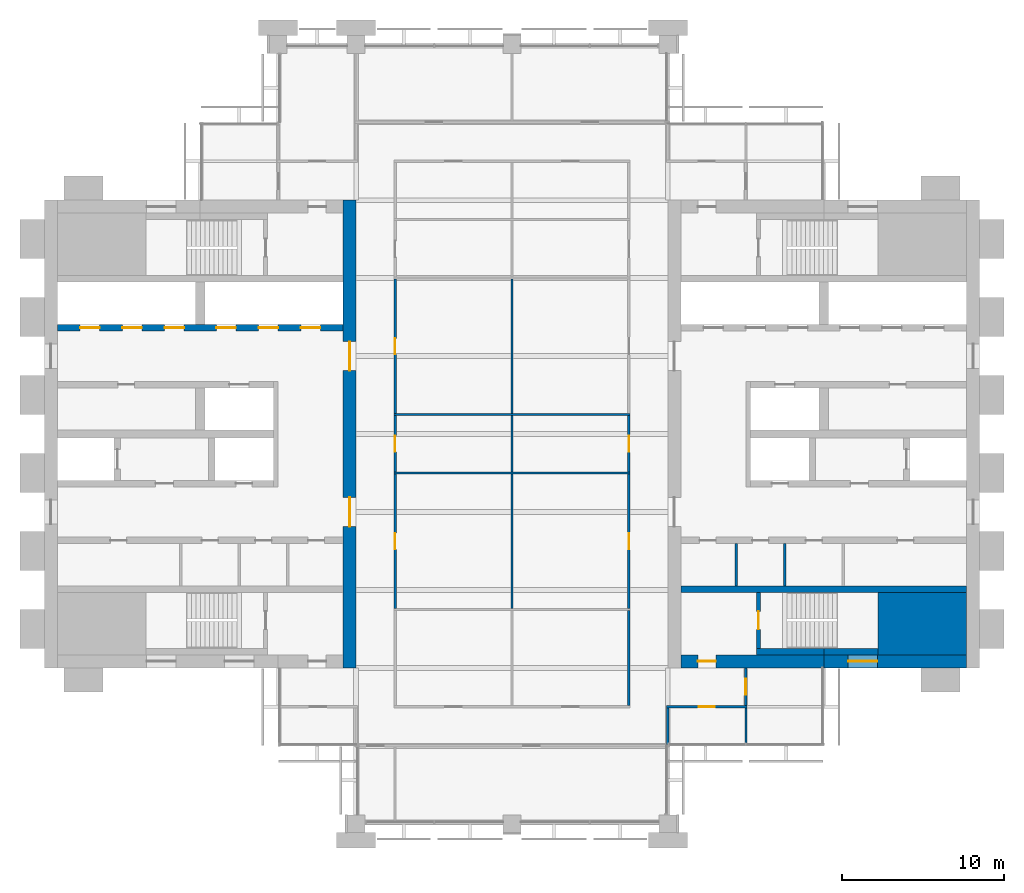
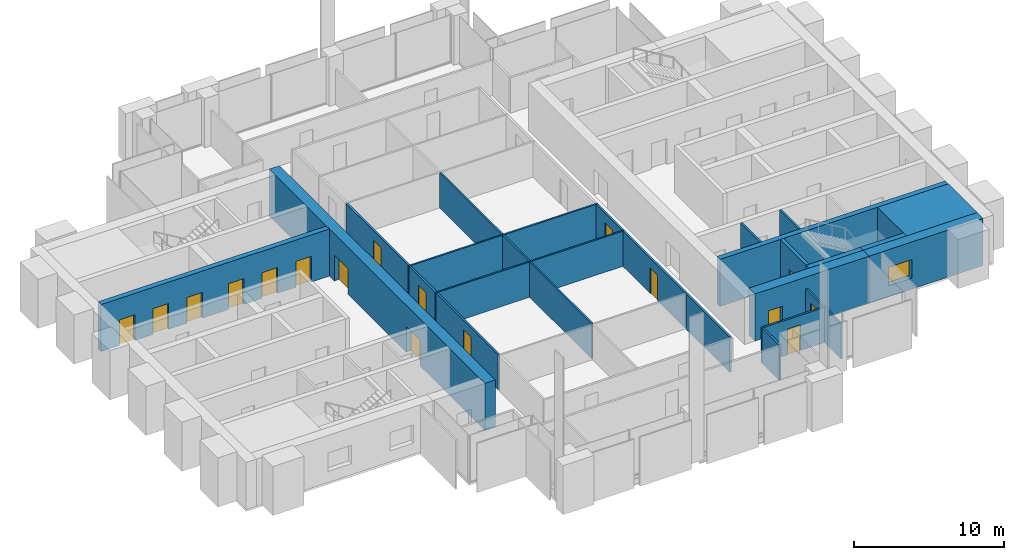
# One storey, part 9 of 13: 26 walls, 17 doors, 1 window, 18 openings.
"""IFC4 building model written with IfcOpenShell, lengths in metres."""

from ifc_helpers import new_model, si_unit, direction, frame, frame_2d, origin, place, context, subcontext, project, spatial, rectangle, extrude, material, layer, layer_set, type_object, element, fill, save


model = new_model("IFC4")

# Units and contexts
model_context = context("Model", 3, precision=1e-05, world=origin(), true_north=direction((0.0, 1.0)))
body_context = subcontext(model_context, "Body", "Model", "MODEL_VIEW")
ifc_project = project(units=[si_unit("LENGTHUNIT", "METRE"), si_unit("AREAUNIT", "SQUARE_METRE"), si_unit("VOLUMEUNIT", "CUBIC_METRE"), si_unit("PLANEANGLEUNIT", "RADIAN"), si_unit("MASSUNIT", "GRAM", prefix="KILO")], contexts=[model_context])

# Site, building, storey
site_placement = place(None, origin())
site = spatial("IfcSite", under=ifc_project, at=site_placement, CompositionType="ELEMENT")
building_placement = place(site_placement, origin())
building = spatial("IfcBuilding", under=site, at=building_placement, Name="Baori Bourse Tower", CompositionType="ELEMENT")
storey_placement = place(building_placement, frame((0.0, 0.0, 225.199951171875)))
storey = spatial("IfcBuildingStorey", under=building, at=storey_placement, Name="L49", CompositionType="ELEMENT", Elevation=225.199951171875)

# Walls
ifc_material_1 = material(Name="Concrete f'c 50 MPa", Category="concrete")
wall_type_1 = type_object("IfcWallType", Name="Core corner block f'c 50", PredefinedType="SHEAR", material=ifc_material_1)
wall_1_placement = place(storey_placement, frame((51.35009765625, 12.324951171875, 0.0), z_axis=(0.0, 0.0, 1.0), x_axis=(1.0, 0.0, 0.0)))
element("IfcWall", 1, at=wall_1_placement, inside=storey, type_object=wall_type_1, Name="Core wall E05", PredefinedType="SHEAR", context=body_context, shape_type="SweptSolid", body=[
    extrude(rectangle(XDim=5.449951171875, YDim=3.85009765625, at=frame_2d((2.72509765625, 0.0))), origin(), (0.0, 0.0, 1.0), 3.840087890625),
])
ifc_material_2 = material(Name="Blockwork partition", Category="masonry")
ifc_layer_1 = layer(ifc_material_2, 0.14990234375)
ifc_layer_set_1 = layer_set([ifc_layer_1], Name="Core partition 150")
wall_type_2 = type_object("IfcWallType", Name="Core partition 150", PredefinedType="PARTITIONING", material=ifc_layer_set_1)
for number, where, z_axis, x_axis, name in (
    (2, (45.60009765625, 14.64990234375, 0.0), (0.0, 0.0, 1.0), (0.0, 1.0, 0.0), "Partition wall E11"),
    (3, (42.60009765625, 14.64990234375, 0.0), (0.0, 0.0, 1.0), (0.0, 1.0, 0.0), "Partition wall E12"),
):
    element("IfcWall", number, at=place(storey_placement, frame(where, z_axis=z_axis, x_axis=x_axis)), inside=storey, type_object=wall_type_2, Name=name, PredefinedType="PARTITIONING", context=body_context, shape_type="SweptSolid", body=[
        extrude(rectangle(XDim=2.60009765625, YDim=0.14990234375, at=frame_2d((1.300048828125, 0.0))), origin(), (0.0, 0.0, 1.0), 3.840087890625),
    ])

# Wall, openings, doors
ifc_material_3 = material(Name="Concrete f'c 50 MPa", Category="concrete")
ifc_layer_2 = layer(ifc_material_3, 0.800048828125)
ifc_layer_set_2 = layer_set([ifc_layer_2], Name="Core wall 800 f'c 50")
wall_type_3 = type_object("IfcWallType", Name="Core wall 800 f'c 50", PredefinedType="SHEAR", material=ifc_layer_set_2)
wall_2_placement = place(storey_placement, frame((18.800048828125, 38.39990234375, 0.0), z_axis=(0.0, 0.0, 1.0), x_axis=(0.0, -1.0, 0.0)))
wall_2 = element("IfcWall", 4, at=wall_2_placement, inside=storey, type_object=wall_type_3, Name="Core wall W04", PredefinedType="SHEAR", context=body_context, shape_type="SweptSolid", body=[
    extrude(rectangle(XDim=28.7998046875, YDim=0.800048828125, at=frame_2d((14.39990234375, 0.0))), origin(), (0.0, 0.0, 1.0), 3.840087890625),
])
opening_1_placement = place(wall_2_placement, frame((18.300048828125, 0.0, 0.0)))
opening_1 = element("IfcOpeningElement", 5, at=opening_1_placement, cuts=wall_2, Name="Opening L49-D107", PredefinedType="OPENING", context=body_context, shape_type="SweptSolid", body=[
    extrude(rectangle(XDim=1.800048828125, YDim=2.10009765625, at=frame_2d((0.89990234375, 1.050048828125))), frame((0.0, 0.409912109375, 0.0), z_axis=(0.0, -1.0, 0.0), x_axis=(1.0, 0.0, 0.0)), (0.0, 0.0, 1.0), 0.820068359375),
])
opening_2_placement = place(wall_2_placement, frame((8.699951171875, 0.0, 0.0)))
opening_2 = element("IfcOpeningElement", 6, at=opening_2_placement, cuts=wall_2, Name="Opening L49-D108", PredefinedType="OPENING", context=body_context, shape_type="SweptSolid", body=[
    extrude(rectangle(XDim=1.800048828125, YDim=2.10009765625, at=frame_2d((0.89990234375, 1.050048828125))), frame((0.0, 0.409912109375, 0.0), z_axis=(0.0, -1.0, 0.0), x_axis=(1.0, 0.0, 0.0)), (0.0, 0.0, 1.0), 0.820068359375),
])
ifc_material_4 = material(Name="Painted steel door", Category="steel")
door_type_1 = type_object("IfcDoorType", Name="Core lobby door 1800", OperationType="DOUBLE_DOOR_SINGLE_SWING", PredefinedType="DOOR", material=ifc_material_4)
door_1_placement = place(opening_1_placement, origin())
door_1 = element("IfcDoor", 7, at=door_1_placement, inside=storey, type_object=door_type_1, Name="Lobby door W L49", OperationType="DOUBLE_DOOR_SINGLE_SWING", OverallHeight=2.10009765625, OverallWidth=1.800048828125, PredefinedType="DOOR", context=body_context, shape_type="SweptSolid", body=[
    extrude(rectangle(XDim=1.800048828125, YDim=2.10009765625, at=frame_2d((0.89990234375, 1.050048828125))), frame((0.0, 0.02490234375, 0.0), z_axis=(0.0, -1.0, 0.0), x_axis=(1.0, 0.0, 0.0)), (0.0, 0.0, 1.0), 0.050048828125),
])
fill(opening_1, door_1)
door_2_placement = place(opening_2_placement, origin())
door_2 = element("IfcDoor", 8, at=door_2_placement, inside=storey, type_object=door_type_1, Name="Lobby door W L49", OperationType="DOUBLE_DOOR_SINGLE_SWING", OverallHeight=2.10009765625, OverallWidth=1.800048828125, PredefinedType="DOOR", context=body_context, shape_type="SweptSolid", body=[
    extrude(rectangle(XDim=1.800048828125, YDim=2.10009765625, at=frame_2d((0.89990234375, 1.050048828125))), frame((0.0, 0.02490234375, 0.0), z_axis=(0.0, -1.0, 0.0), x_axis=(1.0, 0.0, 0.0)), (0.0, 0.0, 1.0), 0.050048828125),
])
fill(opening_2, door_2)

# Wall, opening, window
wall_3_placement = place(storey_placement, frame((56.800048828125, 10.0, 0.0), z_axis=(0.0, 0.0, 1.0), x_axis=(-1.0, 0.0, 0.0)))
wall_3 = element("IfcWall", 9, at=wall_3_placement, inside=storey, type_object=wall_type_3, Name="Core wall E02", PredefinedType="SHEAR", context=body_context, shape_type="SweptSolid", body=[
    extrude(rectangle(XDim=8.800048828125, YDim=0.800048828125, at=frame_2d((4.39990234375, 0.0))), origin(), (0.0, 0.0, 1.0), 3.840087890625),
])
opening_3_placement = place(wall_3_placement, frame((5.5, 0.0, 0.89990234375)))
opening_3 = element("IfcOpeningElement", 10, at=opening_3_placement, cuts=wall_3, Name="Opening L49-KW203", PredefinedType="OPENING", context=body_context, shape_type="SweptSolid", body=[
    extrude(rectangle(XDim=1.800048828125, YDim=1.5, at=frame_2d((0.89990234375, 0.75))), frame((0.0, 0.409912109375, 0.0), z_axis=(0.0, -1.0, 0.0), x_axis=(1.0, 0.0, 0.0)), (0.0, 0.0, 1.0), 0.820068359375),
])
ifc_material_5 = material(Name="Pale anodised aluminium", Category="aluminium")
window_type = type_object("IfcWindowType", Name="Stair window 1800 x 1500", PartitioningType="SINGLE_PANEL", PredefinedType="WINDOW", material=ifc_material_5)
window_placement = place(opening_3_placement, origin())
window = element("IfcWindow", 11, at=window_placement, inside=storey, type_object=window_type, Name="Stair window E L49 3", OverallHeight=1.5, OverallWidth=1.800048828125, PartitioningType="SINGLE_PANEL", PredefinedType="WINDOW", context=body_context, shape_type="SweptSolid", body=[
    extrude(rectangle(XDim=1.800048828125, YDim=1.5, at=frame_2d((0.89990234375, 0.75))), frame((0.0, 0.030029296875, 0.0), z_axis=(0.0, -1.0, 0.0), x_axis=(1.0, 0.0, 0.0)), (0.0, 0.0, 1.0), 0.06005859375),
])
fill(opening_3, window)

# Wall, opening, door
wall_4_placement = place(storey_placement, frame((48.0, 10.0, 0.0), z_axis=(0.0, 0.0, 1.0), x_axis=(-1.0, 0.0, 0.0)))
wall_4 = element("IfcWall", 12, at=wall_4_placement, inside=storey, type_object=wall_type_3, Name="Core wall E03", PredefinedType="SHEAR", context=body_context, shape_type="SweptSolid", body=[
    extrude(rectangle(XDim=8.800048828125, YDim=0.800048828125, at=frame_2d((4.39990234375, 0.0))), origin(), (0.0, 0.0, 1.0), 3.840087890625),
])
opening_4_placement = place(wall_4_placement, frame((6.64990234375, 0.0, 0.0)))
opening_4 = element("IfcOpeningElement", 13, at=opening_4_placement, cuts=wall_4, Name="Opening L49-D202", PredefinedType="OPENING", context=body_context, shape_type="SweptSolid", body=[
    extrude(rectangle(XDim=1.10009765625, YDim=2.10009765625, at=frame_2d((0.550048828125, 1.050048828125))), frame((0.0, 0.409912109375, 0.0), z_axis=(0.0, -1.0, 0.0), x_axis=(1.0, 0.0, 0.0)), (0.0, 0.0, 1.0), 0.820068359375),
])
ifc_material_6 = material(Name="Painted steel door", Category="steel")
door_type_2 = type_object("IfcDoorType", Name="Stair door 1100", OperationType="SINGLE_SWING_LEFT", PredefinedType="DOOR", material=ifc_material_6)
door_3_placement = place(opening_4_placement, origin())
door_3 = element("IfcDoor", 14, at=door_3_placement, inside=storey, type_object=door_type_2, Name="Stair vestibule door A E L49", OperationType="SINGLE_SWING_LEFT", OverallHeight=2.10009765625, OverallWidth=1.10009765625, PredefinedType="DOOR", context=body_context, shape_type="SweptSolid", body=[
    extrude(rectangle(XDim=1.10009765625, YDim=2.10009765625, at=frame_2d((0.550048828125, 1.050048828125))), frame((0.0, 0.02490234375, 0.0), z_axis=(0.0, -1.0, 0.0), x_axis=(1.0, 0.0, 0.0)), (0.0, 0.0, 1.0), 0.050048828125),
])
fill(opening_4, door_3)

ifc_material_7 = material(Name="Gypsum board partition")
ifc_layer_3 = layer(ifc_material_7, 0.14990234375)
ifc_layer_set_3 = layer_set([ifc_layer_3], Name="Corridor partition 150")
wall_type_4 = type_object("IfcWallType", Name="Corridor partition 150", PredefinedType="PARTITIONING", material=ifc_layer_set_3)
wall_5_placement = place(storey_placement, frame((38.324951171875, 7.199951171875, 0.0), z_axis=(0.0, 0.0, 1.0), x_axis=(1.0, 0.0, 0.0)))
wall_5 = element("IfcWall", 15, at=wall_5_placement, inside=storey, type_object=wall_type_4, Name="Partition", PredefinedType="PARTITIONING", context=body_context, shape_type="SweptSolid", body=[
    extrude(rectangle(XDim=4.949951171875, YDim=0.14990234375, at=frame_2d((2.47509765625, 0.0))), origin(), (0.0, 0.0, 1.0), 2.869873046875),
])
opening_5_placement = place(wall_5_placement, frame((1.97509765625, 0.0, 0.0)))
opening_5 = element("IfcOpeningElement", 16, at=opening_5_placement, cuts=wall_5, Name="Opening L49-D06", PredefinedType="OPENING", context=body_context, shape_type="SweptSolid", body=[
    extrude(rectangle(XDim=1.0, YDim=2.10009765625, at=frame_2d((0.5, 1.050048828125))), frame((0.0, 0.0849609375, 0.0), z_axis=(0.0, -1.0, 0.0), x_axis=(1.0, 0.0, 0.0)), (0.0, 0.0, 1.0), 0.169921875),
])
ifc_material_8 = material(Name="Timber door leaf", Category="wood")
door_type_3 = type_object("IfcDoorType", Name="Door 1000 x 2100", OperationType="SINGLE_SWING_LEFT", PredefinedType="DOOR", material=ifc_material_8)
door_4_placement = place(opening_5_placement, origin())
door_4 = element("IfcDoor", 17, at=door_4_placement, inside=storey, type_object=door_type_3, Name="Door", OperationType="SINGLE_SWING_LEFT", OverallHeight=2.10009765625, OverallWidth=1.0, PredefinedType="DOOR", context=body_context, shape_type="SweptSolid", body=[
    extrude(rectangle(XDim=1.0, YDim=2.10009765625, at=frame_2d((0.5, 1.050048828125))), frame((0.0, 0.02490234375, 0.0), z_axis=(0.0, -1.0, 0.0), x_axis=(1.0, 0.0, 0.0)), (0.0, 0.0, 1.0), 0.050048828125),
])
fill(opening_5, door_4)

wall_6_placement = place(storey_placement, frame((21.60009765625, 13.262451171875, 0.0), z_axis=(0.0, 0.0, 1.0), x_axis=(0.0, 1.0, 0.0)))
wall_6 = element("IfcWall", 18, at=wall_6_placement, inside=storey, type_object=wall_type_4, Name="Partition", PredefinedType="PARTITIONING", context=body_context, shape_type="SweptSolid", body=[
    extrude(rectangle(XDim=8.275146484375, YDim=0.14990234375, at=frame_2d((4.1376953125, 0.0))), origin(), (0.0, 0.0, 1.0), 2.869873046875),
])
opening_6_placement = place(wall_6_placement, frame((3.637451171875, 0.0, 0.0)))
opening_6 = element("IfcOpeningElement", 19, at=opening_6_placement, cuts=wall_6, Name="Opening L49-D14", PredefinedType="OPENING", context=body_context, shape_type="SweptSolid", body=[
    extrude(rectangle(XDim=1.0, YDim=2.10009765625, at=frame_2d((0.5, 1.050048828125))), frame((0.0, 0.0849609375, 0.0), z_axis=(0.0, -1.0, 0.0), x_axis=(1.0, 0.0, 0.0)), (0.0, 0.0, 1.0), 0.169921875),
])
door_5_placement = place(opening_6_placement, origin())
door_5 = element("IfcDoor", 20, at=door_5_placement, inside=storey, type_object=door_type_3, Name="Door", OperationType="SINGLE_SWING_LEFT", OverallHeight=2.10009765625, OverallWidth=1.0, PredefinedType="DOOR", context=body_context, shape_type="SweptSolid", body=[
    extrude(rectangle(XDim=1.0, YDim=2.10009765625, at=frame_2d((0.5, 1.050048828125))), frame((0.0, 0.02490234375, 0.0), z_axis=(0.0, -1.0, 0.0), x_axis=(1.0, 0.0, 0.0)), (0.0, 0.0, 1.0), 0.050048828125),
])
fill(opening_6, door_5)

wall_7_placement = place(storey_placement, frame((21.60009765625, 21.66259765625, 0.0), z_axis=(0.0, 0.0, 1.0), x_axis=(0.0, 1.0, 0.0)))
wall_7 = element("IfcWall", 21, at=wall_7_placement, inside=storey, type_object=wall_type_4, Name="Partition", PredefinedType="PARTITIONING", context=body_context, shape_type="SweptSolid", body=[
    extrude(rectangle(XDim=3.474853515625, YDim=0.14990234375, at=frame_2d((1.7373046875, 0.0))), origin(), (0.0, 0.0, 1.0), 2.869873046875),
])
opening_7_placement = place(wall_7_placement, frame((1.237548828125, 0.0, 0.0)))
opening_7 = element("IfcOpeningElement", 22, at=opening_7_placement, cuts=wall_7, Name="Opening L49-D15", PredefinedType="OPENING", context=body_context, shape_type="SweptSolid", body=[
    extrude(rectangle(XDim=1.0, YDim=2.10009765625, at=frame_2d((0.5, 1.050048828125))), frame((0.0, 0.0849609375, 0.0), z_axis=(0.0, -1.0, 0.0), x_axis=(1.0, 0.0, 0.0)), (0.0, 0.0, 1.0), 0.169921875),
])
door_6_placement = place(opening_7_placement, origin())
door_6 = element("IfcDoor", 23, at=door_6_placement, inside=storey, type_object=door_type_3, Name="Door", OperationType="SINGLE_SWING_LEFT", OverallHeight=2.10009765625, OverallWidth=1.0, PredefinedType="DOOR", context=body_context, shape_type="SweptSolid", body=[
    extrude(rectangle(XDim=1.0, YDim=2.10009765625, at=frame_2d((0.5, 1.050048828125))), frame((0.0, 0.02490234375, 0.0), z_axis=(0.0, -1.0, 0.0), x_axis=(1.0, 0.0, 0.0)), (0.0, 0.0, 1.0), 0.050048828125),
])
fill(opening_7, door_6)

wall_8_placement = place(storey_placement, frame((21.60009765625, 25.262451171875, 0.0), z_axis=(0.0, 0.0, 1.0), x_axis=(0.0, 1.0, 0.0)))
wall_8 = element("IfcWall", 24, at=wall_8_placement, inside=storey, type_object=wall_type_4, Name="Partition", PredefinedType="PARTITIONING", context=body_context, shape_type="SweptSolid", body=[
    extrude(rectangle(XDim=8.275146484375, YDim=0.14990234375, at=frame_2d((4.1376953125, 0.0))), origin(), (0.0, 0.0, 1.0), 2.869873046875),
])
opening_8_placement = place(wall_8_placement, frame((3.637451171875, 0.0, 0.0)))
opening_8 = element("IfcOpeningElement", 25, at=opening_8_placement, cuts=wall_8, Name="Opening L49-D16", PredefinedType="OPENING", context=body_context, shape_type="SweptSolid", body=[
    extrude(rectangle(XDim=1.0, YDim=2.10009765625, at=frame_2d((0.5, 1.050048828125))), frame((0.0, 0.0849609375, 0.0), z_axis=(0.0, -1.0, 0.0), x_axis=(1.0, 0.0, 0.0)), (0.0, 0.0, 1.0), 0.169921875),
])
door_7_placement = place(opening_8_placement, origin())
door_7 = element("IfcDoor", 26, at=door_7_placement, inside=storey, type_object=door_type_3, Name="Door", OperationType="SINGLE_SWING_LEFT", OverallHeight=2.10009765625, OverallWidth=1.0, PredefinedType="DOOR", context=body_context, shape_type="SweptSolid", body=[
    extrude(rectangle(XDim=1.0, YDim=2.10009765625, at=frame_2d((0.5, 1.050048828125))), frame((0.0, 0.02490234375, 0.0), z_axis=(0.0, -1.0, 0.0), x_axis=(1.0, 0.0, 0.0)), (0.0, 0.0, 1.0), 0.050048828125),
])
fill(opening_8, door_7)

# Wall
wall_9_placement = place(storey_placement, frame((36.0, 7.27490234375, 0.0), z_axis=(0.0, 0.0, 1.0), x_axis=(0.0, 1.0, 0.0)))
element("IfcWall", 27, at=wall_9_placement, inside=storey, type_object=wall_type_4, Name="Partition", PredefinedType="PARTITIONING", context=body_context, shape_type="SweptSolid", body=[
    extrude(rectangle(XDim=5.862548828125, YDim=0.14990234375, at=frame_2d((2.93115234375, 0.0))), origin(), (0.0, 0.0, 1.0), 2.869873046875),
])

# Wall, opening, door
wall_10_placement = place(storey_placement, frame((36.0, 13.262451171875, 0.0), z_axis=(0.0, 0.0, 1.0), x_axis=(0.0, 1.0, 0.0)))
wall_10 = element("IfcWall", 28, at=wall_10_placement, inside=storey, type_object=wall_type_4, Name="Partition", PredefinedType="PARTITIONING", context=body_context, shape_type="SweptSolid", body=[
    extrude(rectangle(XDim=8.275146484375, YDim=0.14990234375, at=frame_2d((4.1376953125, 0.0))), origin(), (0.0, 0.0, 1.0), 2.869873046875),
])
opening_9_placement = place(wall_10_placement, frame((3.637451171875, 0.0, 0.0)))
opening_9 = element("IfcOpeningElement", 29, at=opening_9_placement, cuts=wall_10, Name="Opening L49-D18", PredefinedType="OPENING", context=body_context, shape_type="SweptSolid", body=[
    extrude(rectangle(XDim=1.0, YDim=2.10009765625, at=frame_2d((0.5, 1.050048828125))), frame((0.0, 0.0849609375, 0.0), z_axis=(0.0, -1.0, 0.0), x_axis=(1.0, 0.0, 0.0)), (0.0, 0.0, 1.0), 0.169921875),
])
door_8_placement = place(opening_9_placement, origin())
door_8 = element("IfcDoor", 30, at=door_8_placement, inside=storey, type_object=door_type_3, Name="Door", OperationType="SINGLE_SWING_RIGHT", OverallHeight=2.10009765625, OverallWidth=1.0, PredefinedType="DOOR", context=body_context, shape_type="SweptSolid", body=[
    extrude(rectangle(XDim=1.0, YDim=2.10009765625, at=frame_2d((0.5, 1.050048828125))), frame((0.0, 0.02490234375, 0.0), z_axis=(0.0, -1.0, 0.0), x_axis=(1.0, 0.0, 0.0)), (0.0, 0.0, 1.0), 0.050048828125),
])
fill(opening_9, door_8)

wall_11_placement = place(storey_placement, frame((36.0, 21.66259765625, 0.0), z_axis=(0.0, 0.0, 1.0), x_axis=(0.0, 1.0, 0.0)))
wall_11 = element("IfcWall", 31, at=wall_11_placement, inside=storey, type_object=wall_type_4, Name="Partition", PredefinedType="PARTITIONING", context=body_context, shape_type="SweptSolid", body=[
    extrude(rectangle(XDim=3.474853515625, YDim=0.14990234375, at=frame_2d((1.7373046875, 0.0))), origin(), (0.0, 0.0, 1.0), 2.869873046875),
])
opening_10_placement = place(wall_11_placement, frame((1.237548828125, 0.0, 0.0)))
opening_10 = element("IfcOpeningElement", 32, at=opening_10_placement, cuts=wall_11, Name="Opening L49-D19", PredefinedType="OPENING", context=body_context, shape_type="SweptSolid", body=[
    extrude(rectangle(XDim=1.0, YDim=2.10009765625, at=frame_2d((0.5, 1.050048828125))), frame((0.0, 0.0849609375, 0.0), z_axis=(0.0, -1.0, 0.0), x_axis=(1.0, 0.0, 0.0)), (0.0, 0.0, 1.0), 0.169921875),
])
door_9_placement = place(opening_10_placement, origin())
door_9 = element("IfcDoor", 33, at=door_9_placement, inside=storey, type_object=door_type_3, Name="Door", OperationType="SINGLE_SWING_RIGHT", OverallHeight=2.10009765625, OverallWidth=1.0, PredefinedType="DOOR", context=body_context, shape_type="SweptSolid", body=[
    extrude(rectangle(XDim=1.0, YDim=2.10009765625, at=frame_2d((0.5, 1.050048828125))), frame((0.0, 0.02490234375, 0.0), z_axis=(0.0, -1.0, 0.0), x_axis=(1.0, 0.0, 0.0)), (0.0, 0.0, 1.0), 0.050048828125),
])
fill(opening_10, door_9)

# Wall
wall_12_placement = place(storey_placement, frame((38.39990234375, 4.875, 0.0), z_axis=(0.0, 0.0, 1.0), x_axis=(0.0, 1.0, 0.0)))
element("IfcWall", 34, at=wall_12_placement, inside=storey, type_object=wall_type_4, Name="Partition", PredefinedType="PARTITIONING", context=body_context, shape_type="SweptSolid", body=[
    extrude(rectangle(XDim=2.25, YDim=0.14990234375, at=frame_2d((1.125, 0.0))), origin(), (0.0, 0.0, 1.0), 2.869873046875),
])

# Wall, opening, door
wall_13_placement = place(storey_placement, frame((43.199951171875, 7.27490234375, 0.0), z_axis=(0.0, 0.0, 1.0), x_axis=(0.0, 1.0, 0.0)))
wall_13 = element("IfcWall", 35, at=wall_13_placement, inside=storey, type_object=wall_type_4, Name="Partition", PredefinedType="PARTITIONING", context=body_context, shape_type="SweptSolid", body=[
    extrude(rectangle(XDim=2.3251953125, YDim=0.14990234375, at=frame_2d((1.16259765625, 0.0))), origin(), (0.0, 0.0, 1.0), 2.869873046875),
])
opening_11_placement = place(wall_13_placement, frame((0.66259765625, 0.0, 0.0)))
opening_11 = element("IfcOpeningElement", 36, at=opening_11_placement, cuts=wall_13, Name="Opening L49-D22", PredefinedType="OPENING", context=body_context, shape_type="SweptSolid", body=[
    extrude(rectangle(XDim=1.0, YDim=2.10009765625, at=frame_2d((0.5, 1.050048828125))), frame((0.0, 0.0849609375, 0.0), z_axis=(0.0, -1.0, 0.0), x_axis=(1.0, 0.0, 0.0)), (0.0, 0.0, 1.0), 0.169921875),
])
door_10_placement = place(opening_11_placement, origin())
door_10 = element("IfcDoor", 37, at=door_10_placement, inside=storey, type_object=door_type_3, Name="Door", OperationType="SINGLE_SWING_LEFT", OverallHeight=2.10009765625, OverallWidth=1.0, PredefinedType="DOOR", context=body_context, shape_type="SweptSolid", body=[
    extrude(rectangle(XDim=1.0, YDim=2.10009765625, at=frame_2d((0.5, 1.050048828125))), frame((0.0, 0.02490234375, 0.0), z_axis=(0.0, -1.0, 0.0), x_axis=(1.0, 0.0, 0.0)), (0.0, 0.0, 1.0), 0.050048828125),
])
fill(opening_11, door_10)

# Walls
ifc_material_9 = material(Name="Gypsum board partition")
ifc_layer_4 = layer(ifc_material_9, 0.125)
ifc_layer_set_4 = layer_set([ifc_layer_4], Name="Partition 125")
wall_type_5 = type_object("IfcWallType", Name="Partition 125", PredefinedType="PARTITIONING", material=ifc_layer_set_4)
for number, where, z_axis, x_axis, name in (
    (38, (21.52490234375, 21.60009765625, 0.0), (0.0, 0.0, 1.0), (1.0, 0.0, 0.0), "Partition"),
    (39, (21.52490234375, 25.199951171875, 0.0), (0.0, 0.0, 1.0), (1.0, 0.0, 0.0), "Partition"),
):
    element("IfcWall", number, at=place(storey_placement, frame(where, z_axis=z_axis, x_axis=x_axis)), inside=storey, type_object=wall_type_5, Name=name, PredefinedType="PARTITIONING", context=body_context, shape_type="SweptSolid", body=[
        extrude(rectangle(XDim=14.550048828125, YDim=0.125, at=frame_2d((7.27490234375, 0.0))), origin(), (0.0, 0.0, 1.0), 2.869873046875),
    ])
wall_14_placement = place(storey_placement, frame((28.800048828125, 13.262451171875, 0.0), z_axis=(0.0, 0.0, 1.0), x_axis=(0.0, 1.0, 0.0)))
element("IfcWall", 40, at=wall_14_placement, inside=storey, type_object=wall_type_5, Name="Partition", PredefinedType="PARTITIONING", context=body_context, shape_type="SweptSolid", body=[
    extrude(rectangle(XDim=8.275146484375, YDim=0.125, at=frame_2d((4.1376953125, 0.0))), origin(), (0.0, 0.0, 1.0), 2.869873046875),
])
wall_15_placement = place(storey_placement, frame((28.800048828125, 21.66259765625, 0.0), z_axis=(0.0, 0.0, 1.0), x_axis=(0.0, 1.0, 0.0)))
element("IfcWall", 41, at=wall_15_placement, inside=storey, type_object=wall_type_5, Name="Partition", PredefinedType="PARTITIONING", context=body_context, shape_type="SweptSolid", body=[
    extrude(rectangle(XDim=3.474853515625, YDim=0.125, at=frame_2d((1.7373046875, 0.0))), origin(), (0.0, 0.0, 1.0), 2.869873046875),
])
wall_16_placement = place(storey_placement, frame((28.800048828125, 25.262451171875, 0.0), z_axis=(0.0, 0.0, 1.0), x_axis=(0.0, 1.0, 0.0)))
element("IfcWall", 42, at=wall_16_placement, inside=storey, type_object=wall_type_5, Name="Partition", PredefinedType="PARTITIONING", context=body_context, shape_type="SweptSolid", body=[
    extrude(rectangle(XDim=8.275146484375, YDim=0.125, at=frame_2d((4.1376953125, 0.0))), origin(), (0.0, 0.0, 1.0), 2.869873046875),
])
wall_17_placement = place(storey_placement, frame((43.199951171875, 4.89990234375, 0.0), z_axis=(0.0, 0.0, 1.0), x_axis=(0.0, 1.0, 0.0)))
element("IfcWall", 43, at=wall_17_placement, inside=storey, type_object=wall_type_5, Name="Partition", PredefinedType="PARTITIONING", context=body_context, shape_type="SweptSolid", body=[
    extrude(rectangle(XDim=2.22509765625, YDim=0.125, at=frame_2d((1.112548828125, 0.0))), origin(), (0.0, 0.0, 1.0), 2.869873046875),
])

# Wall, opening, door
ifc_material_10 = material(Name="Concrete f'c 50 MPa", Category="concrete")
ifc_layer_5 = layer(ifc_material_10, 0.25)
ifc_layer_set_5 = layer_set([ifc_layer_5], Name="Shaft wall 250 f'c 50")
wall_type_6 = type_object("IfcWallType", Name="Shaft wall 250 f'c 50", PredefinedType="SHEAR", material=ifc_layer_set_5)
wall_18_placement = place(storey_placement, frame((43.97509765625, 10.800048828125, 0.0), z_axis=(0.0, 0.0, 1.0), x_axis=(0.0, 1.0, 0.0)))
wall_18 = element("IfcWall", 44, at=wall_18_placement, inside=storey, type_object=wall_type_6, Name="Core wall E08", PredefinedType="SHEAR", context=body_context, shape_type="SweptSolid", body=[
    extrude(rectangle(XDim=3.449951171875, YDim=0.25, at=frame_2d((1.72509765625, 0.0))), origin(), (0.0, 0.0, 1.0), 3.840087890625),
])
opening_12_placement = place(wall_18_placement, frame((1.175048828125, 0.0, 0.0)))
opening_12 = element("IfcOpeningElement", 45, at=opening_12_placement, cuts=wall_18, Name="Opening L49-D201", PredefinedType="OPENING", context=body_context, shape_type="SweptSolid", body=[
    extrude(rectangle(XDim=1.10009765625, YDim=2.10009765625, at=frame_2d((0.550048828125, 1.050048828125))), frame((0.0, 0.135009765625, 0.0), z_axis=(0.0, -1.0, 0.0), x_axis=(1.0, 0.0, 0.0)), (0.0, 0.0, 1.0), 0.27001953125),
])
door_11_placement = place(opening_12_placement, origin())
door_11 = element("IfcDoor", 46, at=door_11_placement, inside=storey, type_object=door_type_2, Name="Stair door A E L49", OperationType="SINGLE_SWING_LEFT", OverallHeight=2.10009765625, OverallWidth=1.10009765625, PredefinedType="DOOR", context=body_context, shape_type="SweptSolid", body=[
    extrude(rectangle(XDim=1.10009765625, YDim=2.10009765625, at=frame_2d((0.550048828125, 1.050048828125))), frame((0.0, 0.02490234375, 0.0), z_axis=(0.0, -1.0, 0.0), x_axis=(1.0, 0.0, 0.0)), (0.0, 0.0, 1.0), 0.050048828125),
])
fill(opening_12, door_11)

# Wall, openings, doors
ifc_material_11 = material(Name="Concrete f'c 50 MPa", Category="concrete")
ifc_layer_6 = layer(ifc_material_11, 0.39990234375)
ifc_layer_set_6 = layer_set([ifc_layer_6], Name="Shaft wall 400 f'c 50")
wall_type_7 = type_object("IfcWallType", Name="Shaft wall 400 f'c 50", PredefinedType="SHEAR", material=ifc_layer_set_6)
wall_19_placement = place(storey_placement, frame((0.800048828125, 30.550048828125, 0.0), z_axis=(0.0, 0.0, 1.0), x_axis=(1.0, 0.0, 0.0)))
wall_19 = element("IfcWall", 47, at=wall_19_placement, inside=storey, type_object=wall_type_7, Name="Core wall W20", PredefinedType="SHEAR", context=body_context, shape_type="SweptSolid", body=[
    extrude(rectangle(XDim=17.599853515625, YDim=0.39990234375, at=frame_2d((8.7998046875, 0.0))), origin(), (0.0, 0.0, 1.0), 3.840087890625),
])
opening_13_placement = place(wall_19_placement, frame((1.39990234375, 0.0, 0.0)))
opening_13 = element("IfcOpeningElement", 48, at=opening_13_placement, cuts=wall_19, Name="Opening L49-D114", PredefinedType="OPENING", context=body_context, shape_type="SweptSolid", body=[
    extrude(rectangle(XDim=1.199951171875, YDim=2.10009765625, at=frame_2d((0.60009765625, 1.050048828125))), frame((0.0, 0.2099609375, 0.0), z_axis=(0.0, -1.0, 0.0), x_axis=(1.0, 0.0, 0.0)), (0.0, 0.0, 1.0), 0.419921875),
])
opening_14_placement = place(wall_19_placement, frame((4.0, 0.0, 0.0)))
opening_14 = element("IfcOpeningElement", 49, at=opening_14_placement, cuts=wall_19, Name="Opening L49-D115", PredefinedType="OPENING", context=body_context, shape_type="SweptSolid", body=[
    extrude(rectangle(XDim=1.199951171875, YDim=2.10009765625, at=frame_2d((0.60009765625, 1.050048828125))), frame((0.0, 0.2099609375, 0.0), z_axis=(0.0, -1.0, 0.0), x_axis=(1.0, 0.0, 0.0)), (0.0, 0.0, 1.0), 0.419921875),
])
opening_15_placement = place(wall_19_placement, frame((6.60009765625, 0.0, 0.0)))
opening_15 = element("IfcOpeningElement", 50, at=opening_15_placement, cuts=wall_19, Name="Opening L49-D116", PredefinedType="OPENING", context=body_context, shape_type="SweptSolid", body=[
    extrude(rectangle(XDim=1.199951171875, YDim=2.10009765625, at=frame_2d((0.60009765625, 1.050048828125))), frame((0.0, 0.2099609375, 0.0), z_axis=(0.0, -1.0, 0.0), x_axis=(1.0, 0.0, 0.0)), (0.0, 0.0, 1.0), 0.419921875),
])
opening_16_placement = place(wall_19_placement, frame((9.800048828125, 0.0, 0.0)))
opening_16 = element("IfcOpeningElement", 51, at=opening_16_placement, cuts=wall_19, Name="Opening L49-D117", PredefinedType="OPENING", context=body_context, shape_type="SweptSolid", body=[
    extrude(rectangle(XDim=1.199951171875, YDim=2.10009765625, at=frame_2d((0.60009765625, 1.050048828125))), frame((0.0, 0.2099609375, 0.0), z_axis=(0.0, -1.0, 0.0), x_axis=(1.0, 0.0, 0.0)), (0.0, 0.0, 1.0), 0.419921875),
])
opening_17_placement = place(wall_19_placement, frame((12.39990234375, 0.0, 0.0)))
opening_17 = element("IfcOpeningElement", 52, at=opening_17_placement, cuts=wall_19, Name="Opening L49-D118", PredefinedType="OPENING", context=body_context, shape_type="SweptSolid", body=[
    extrude(rectangle(XDim=1.199951171875, YDim=2.10009765625, at=frame_2d((0.60009765625, 1.050048828125))), frame((0.0, 0.2099609375, 0.0), z_axis=(0.0, -1.0, 0.0), x_axis=(1.0, 0.0, 0.0)), (0.0, 0.0, 1.0), 0.419921875),
])
opening_18_placement = place(wall_19_placement, frame((15.0, 0.0, 0.0)))
opening_18 = element("IfcOpeningElement", 53, at=opening_18_placement, cuts=wall_19, Name="Opening L49-D119", PredefinedType="OPENING", context=body_context, shape_type="SweptSolid", body=[
    extrude(rectangle(XDim=1.199951171875, YDim=2.10009765625, at=frame_2d((0.60009765625, 1.050048828125))), frame((0.0, 0.2099609375, 0.0), z_axis=(0.0, -1.0, 0.0), x_axis=(1.0, 0.0, 0.0)), (0.0, 0.0, 1.0), 0.419921875),
])
ifc_material_12 = material(Name="Stainless steel door", Category="steel")
door_type_4 = type_object("IfcDoorType", Name="Lift landing door", OperationType="DOUBLE_DOOR_SLIDING", PredefinedType="DOOR", material=ifc_material_12)
door_12_placement = place(opening_13_placement, origin())
door_12 = element("IfcDoor", 54, at=door_12_placement, inside=storey, type_object=door_type_4, Name="Lift landing door HR1 W L49", OperationType="DOUBLE_DOOR_SLIDING", OverallHeight=2.10009765625, OverallWidth=1.199951171875, PredefinedType="DOOR", context=body_context, shape_type="SweptSolid", body=[
    extrude(rectangle(XDim=1.199951171875, YDim=2.10009765625, at=frame_2d((0.60009765625, 1.050048828125))), frame((0.0, 0.02490234375, 0.0), z_axis=(0.0, -1.0, 0.0), x_axis=(1.0, 0.0, 0.0)), (0.0, 0.0, 1.0), 0.050048828125),
])
fill(opening_13, door_12)
door_13_placement = place(opening_14_placement, origin())
door_13 = element("IfcDoor", 55, at=door_13_placement, inside=storey, type_object=door_type_4, Name="Lift landing door HR2 W L49", OperationType="DOUBLE_DOOR_SLIDING", OverallHeight=2.10009765625, OverallWidth=1.199951171875, PredefinedType="DOOR", context=body_context, shape_type="SweptSolid", body=[
    extrude(rectangle(XDim=1.199951171875, YDim=2.10009765625, at=frame_2d((0.60009765625, 1.050048828125))), frame((0.0, 0.02490234375, 0.0), z_axis=(0.0, -1.0, 0.0), x_axis=(1.0, 0.0, 0.0)), (0.0, 0.0, 1.0), 0.050048828125),
])
fill(opening_14, door_13)
door_14_placement = place(opening_15_placement, origin())
door_14 = element("IfcDoor", 56, at=door_14_placement, inside=storey, type_object=door_type_4, Name="Lift landing door HR3 W L49", OperationType="DOUBLE_DOOR_SLIDING", OverallHeight=2.10009765625, OverallWidth=1.199951171875, PredefinedType="DOOR", context=body_context, shape_type="SweptSolid", body=[
    extrude(rectangle(XDim=1.199951171875, YDim=2.10009765625, at=frame_2d((0.60009765625, 1.050048828125))), frame((0.0, 0.02490234375, 0.0), z_axis=(0.0, -1.0, 0.0), x_axis=(1.0, 0.0, 0.0)), (0.0, 0.0, 1.0), 0.050048828125),
])
fill(opening_15, door_14)
door_15_placement = place(opening_16_placement, origin())
door_15 = element("IfcDoor", 57, at=door_15_placement, inside=storey, type_object=door_type_4, Name="Lift landing door HR4 W L49", OperationType="DOUBLE_DOOR_SLIDING", OverallHeight=2.10009765625, OverallWidth=1.199951171875, PredefinedType="DOOR", context=body_context, shape_type="SweptSolid", body=[
    extrude(rectangle(XDim=1.199951171875, YDim=2.10009765625, at=frame_2d((0.60009765625, 1.050048828125))), frame((0.0, 0.02490234375, 0.0), z_axis=(0.0, -1.0, 0.0), x_axis=(1.0, 0.0, 0.0)), (0.0, 0.0, 1.0), 0.050048828125),
])
fill(opening_16, door_15)
door_16_placement = place(opening_17_placement, origin())
door_16 = element("IfcDoor", 58, at=door_16_placement, inside=storey, type_object=door_type_4, Name="Lift landing door HR5 W L49", OperationType="DOUBLE_DOOR_SLIDING", OverallHeight=2.10009765625, OverallWidth=1.199951171875, PredefinedType="DOOR", context=body_context, shape_type="SweptSolid", body=[
    extrude(rectangle(XDim=1.199951171875, YDim=2.10009765625, at=frame_2d((0.60009765625, 1.050048828125))), frame((0.0, 0.02490234375, 0.0), z_axis=(0.0, -1.0, 0.0), x_axis=(1.0, 0.0, 0.0)), (0.0, 0.0, 1.0), 0.050048828125),
])
fill(opening_17, door_16)
door_17_placement = place(opening_18_placement, origin())
door_17 = element("IfcDoor", 59, at=door_17_placement, inside=storey, type_object=door_type_4, Name="Lift landing door HR6 W L49", OperationType="DOUBLE_DOOR_SLIDING", OverallHeight=2.10009765625, OverallWidth=1.199951171875, PredefinedType="DOOR", context=body_context, shape_type="SweptSolid", body=[
    extrude(rectangle(XDim=1.199951171875, YDim=2.10009765625, at=frame_2d((0.60009765625, 1.050048828125))), frame((0.0, 0.02490234375, 0.0), z_axis=(0.0, -1.0, 0.0), x_axis=(1.0, 0.0, 0.0)), (0.0, 0.0, 1.0), 0.050048828125),
])
fill(opening_18, door_17)

# Walls
wall_20_placement = place(storey_placement, frame((48.0, 10.60009765625, 0.0), z_axis=(0.0, 0.0, 1.0), x_axis=(1.0, 0.0, 0.0)))
element("IfcWall", 60, at=wall_20_placement, inside=storey, type_object=wall_type_7, Name="Core wall E06", PredefinedType="SHEAR", context=body_context, shape_type="SweptSolid", body=[
    extrude(rectangle(XDim=3.35009765625, YDim=0.39990234375, at=frame_2d((1.675048828125, 0.0))), origin(), (0.0, 0.0, 1.0), 3.840087890625),
])
wall_21_placement = place(storey_placement, frame((43.85009765625, 10.60009765625, 0.0), z_axis=(0.0, 0.0, 1.0), x_axis=(1.0, 0.0, 0.0)))
element("IfcWall", 61, at=wall_21_placement, inside=storey, type_object=wall_type_7, Name="Core wall E07", PredefinedType="SHEAR", context=body_context, shape_type="SweptSolid", body=[
    extrude(rectangle(XDim=4.14990234375, YDim=0.39990234375, at=frame_2d((2.074951171875, 0.0))), origin(), (0.0, 0.0, 1.0), 3.840087890625),
])
wall_22_placement = place(storey_placement, frame((39.199951171875, 14.449951171875, 0.0), z_axis=(0.0, 0.0, 1.0), x_axis=(1.0, 0.0, 0.0)))
element("IfcWall", 62, at=wall_22_placement, inside=storey, type_object=wall_type_7, Name="Core wall E09", PredefinedType="SHEAR", context=body_context, shape_type="SweptSolid", body=[
    extrude(rectangle(XDim=17.60009765625, YDim=0.39990234375, at=frame_2d((8.800048828125, 0.0))), origin(), (0.0, 0.0, 1.0), 3.840087890625),
])

save(model, "model.ifc")
